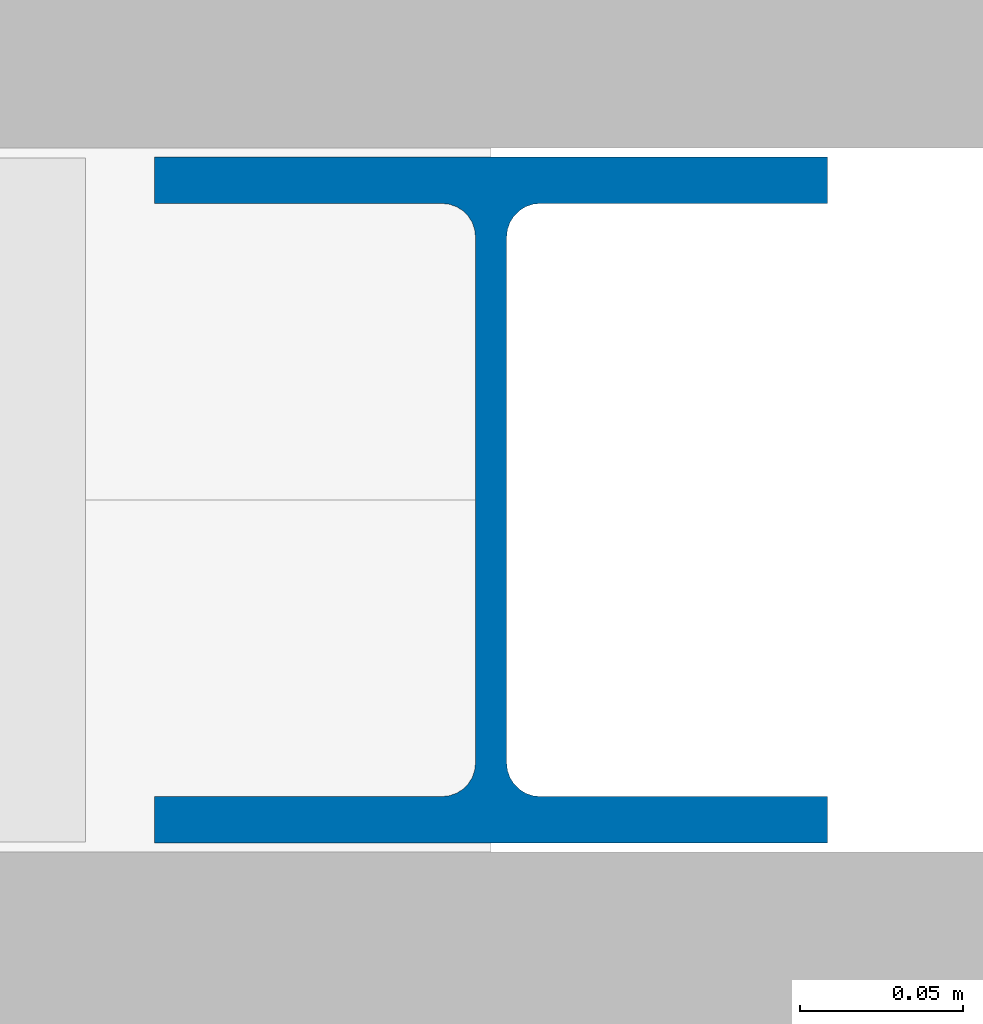
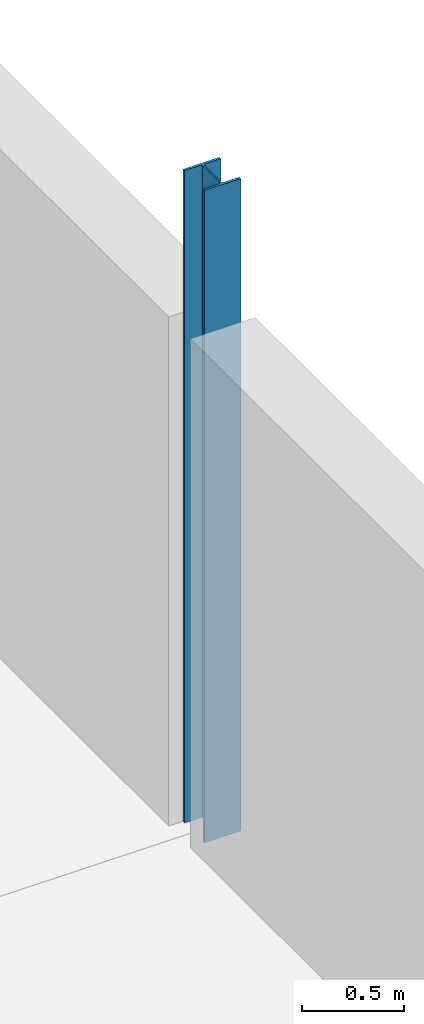
# One storey, part 13 of 35: 1 column.
"""IFC4 building model written with IfcOpenShell, lengths in metres."""

import ifcopenshell
import ifcopenshell.guid

model = None  # the IFC model being written
_history = None  # IfcOwnerHistory: only IFC2X3 demands one
_inside = {}  # id of a spatial element -> (the spatial element, [elements in it])
_under = {}  # id of a project, library or spatial element -> (it, [spatial elements below it])
_declared = {}  # id of a project -> (the project, [libraries it declares])
_typed = {}  # id of a type object -> (the type object, [elements of that type])
_made_of = {}  # id of a material, layer set ... -> (it, [elements and type objects made of it])


def new_model(schema):
    """Start an empty IFC model of exactly this schema.

    Asked for "IFC4X3", IfcOpenShell would pick the latest addendum, in which some entities
    have other attributes; the version numbers below select the first issue.
    IFC2X3 requires an IfcOwnerHistory on every rooted entity: one is made here for all.
    """
    global model, _history
    if schema == "IFC4X3":
        model = ifcopenshell.file(schema_version=(4, 3, 0, 0))
    else:
        model = ifcopenshell.file(schema=schema)
    _inside.clear()
    _under.clear()
    _declared.clear()
    _typed.clear()
    _made_of.clear()
    _history = None
    if model.schema == "IFC2X3":
        org = make("IfcOrganization", Name="unknown")
        user = make(
            "IfcPersonAndOrganization",
            ThePerson=make("IfcPerson", FamilyName="unknown"),
            TheOrganization=org,
        )
        app = make(
            "IfcApplication",
            ApplicationDeveloper=org,
            Version="unknown",
            ApplicationFullName="unknown",
            ApplicationIdentifier="unknown",
        )
        _history = make(
            "IfcOwnerHistory",
            OwningUser=user,
            OwningApplication=app,
            ChangeAction="ADDED",
            CreationDate=0,
        )
    return model


def make(cls, **values):
    """One entity of the class cls with the attributes given. An attribute that is None is left unset."""
    return model.create_entity(
        cls, **{name: value for name, value in values.items() if value is not None}
    )


def rooted(cls, **values):
    """An entity with a GlobalId (a new one), such as an element, a storey or a relation."""
    return make(cls, GlobalId=ifcopenshell.guid.new(), OwnerHistory=_history, **values)


def si_unit(unit_type, name, prefix=None):
    """IfcSIUnit, for example si_unit("LENGTHUNIT", "METRE", prefix="MILLI")."""
    return make("IfcSIUnit", UnitType=unit_type, Prefix=prefix, Name=name)


def assignment(units):
    """IfcUnitAssignment: the units of a project."""
    return None if units is None else make("IfcUnitAssignment", Units=units)


def point(xyz):
    """IfcCartesianPoint."""
    return None if xyz is None else make("IfcCartesianPoint", Coordinates=xyz)


def direction(xyz):
    """IfcDirection."""
    return None if xyz is None else make("IfcDirection", DirectionRatios=xyz)


def frame(location, z_axis=None, x_axis=None):
    """IfcAxis2Placement3D, a coordinate frame: its origin and axes. An axis left out is left unset."""
    return make(
        "IfcAxis2Placement3D",
        Location=point(location),
        Axis=direction(z_axis),
        RefDirection=direction(x_axis),
    )


def frame_2d(location, x_axis=None):
    """IfcAxis2Placement2D, a coordinate frame in the plane: its origin and x axis."""
    return make(
        "IfcAxis2Placement2D", Location=point(location), RefDirection=direction(x_axis)
    )


def origin():
    """The frame at (0, 0, 0) with its axes left unset."""
    return frame((0.0, 0.0, 0.0))


def origin_2d():
    """The frame at (0, 0) in the plane with its x axis left unset."""
    return frame_2d((0.0, 0.0))


def place(relative_to, where):
    """IfcLocalPlacement: puts the frame where relative to a parent placement (None: the world)."""
    return make(
        "IfcLocalPlacement", PlacementRelTo=relative_to, RelativePlacement=where
    )


def context(
    kind, dimensions, precision=None, world=None, true_north=None, identifier=None
):
    """IfcGeometricRepresentationContext, for example the 3D "Model" context."""
    return make(
        "IfcGeometricRepresentationContext",
        ContextIdentifier=identifier,
        ContextType=kind,
        CoordinateSpaceDimension=dimensions,
        Precision=precision,
        WorldCoordinateSystem=world,
        TrueNorth=true_north,
    )


def subcontext(parent, identifier, kind, view, scale=None):
    """IfcGeometricRepresentationSubContext, for example "Body" below "Model"."""
    return make(
        "IfcGeometricRepresentationSubContext",
        ContextIdentifier=identifier,
        ContextType=kind,
        ParentContext=parent,
        TargetScale=scale,
        TargetView=view,
    )


def project(units=None, contexts=None):
    """IfcProject with its units and contexts."""
    return rooted(
        "IfcProject",
        Name="project",
        RepresentationContexts=contexts,
        UnitsInContext=assignment(units),
    )


def spatial(cls, under=None, at=None, **own):
    """A site, building, storey or space (cls), placed at a placement, below another one or the project."""
    s = rooted(cls, ObjectPlacement=at, **own)
    if under is not None:
        _under.setdefault(under.id(), (under, []))[1].append(s)
    return s


def profile(cls, at=None, kind="AREA", **sizes):
    """A parametric profile (cls). Its sizes go by their IFC names, for example OverallWidth=200.0."""
    return make(cls, ProfileType=kind, Position=at, **sizes)


def i_section(**sizes):
    """IfcIShapeProfileDef."""
    return profile("IfcIShapeProfileDef", **sizes)


def extrude(swept, where, along, depth):
    """IfcExtrudedAreaSolid: the profile swept, set in the frame where, extruded along a direction by depth."""
    return make(
        "IfcExtrudedAreaSolid",
        SweptArea=swept,
        Position=where,
        ExtrudedDirection=direction(along),
        Depth=depth,
    )


def shape(context_of_items, identifier, shape_type, items):
    """IfcShapeRepresentation: the items that make up one representation, for example the "Body"."""
    return make(
        "IfcShapeRepresentation",
        ContextOfItems=context_of_items,
        RepresentationIdentifier=identifier,
        RepresentationType=shape_type,
        Items=items,
    )


def material(Name=None, Category=None):
    """IfcMaterial."""
    return make("IfcMaterial", Name=Name, Category=Category)


def material_profile(
    of_material, cross_section, Name=None, Category=None, Priority=None
):
    """IfcMaterialProfile: a cross section and its material."""
    return make(
        "IfcMaterialProfile",
        Name=Name,
        Material=of_material,
        Profile=cross_section,
        Priority=Priority,
        Category=Category,
    )


def profile_set(profiles, Name=None, composite=None):
    """IfcMaterialProfileSet."""
    return make(
        "IfcMaterialProfileSet",
        Name=Name,
        MaterialProfiles=profiles,
        CompositeProfile=composite,
    )


def made_of(thing, what):
    """Note that an element or type object is made of a material, layer set ...; save() writes the relation."""
    if what is not None:
        _made_of.setdefault(what.id(), (what, []))[1].append(thing)
    return thing


def type_object(cls, material=None, **own):
    """A type object (cls), such as IfcWallType, which elements share."""
    return made_of(rooted(cls, **own), material)


def element(
    cls,
    number,
    at=None,
    inside=None,
    cuts=None,
    type_object=None,
    material=None,
    context=None,
    identifier="Body",
    shape_type=None,
    held_by="IfcProductDefinitionShape",
    body=None,
    shapes=None,
    **own,
):
    """One element of the class cls, such as IfcWall. Its Tag is "e" and its number.

    at: its placement. inside: the storey or other place that contains it. cuts: it is an
    opening in that element (IfcRelVoidsElement). A single representation is given by context,
    identifier, shape_type and body (its items); several are given by shapes. held_by: the class
    of the entity that holds the representations. save() writes the other relations.
    """
    e = rooted(cls, Tag="e%d" % number, ObjectPlacement=at, **own)
    if body is not None:
        shapes = [shape(context, identifier, shape_type, body)]
    if shapes is not None:
        e.Representation = make(held_by, Representations=shapes)
    if inside is not None:
        _inside.setdefault(inside.id(), (inside, []))[1].append(e)
    if cuts is not None:
        rooted(
            "IfcRelVoidsElement", RelatingBuildingElement=cuts, RelatedOpeningElement=e
        )
    if type_object is not None:
        _typed.setdefault(type_object.id(), (type_object, []))[1].append(e)
    return made_of(e, material)


def aggregate(whole, parts):
    """IfcRelAggregates: a whole, such as a stair, and the parts it consists of."""
    return rooted("IfcRelAggregates", RelatingObject=whole, RelatedObjects=parts)


def save(model, path):
    """Write the relations noted so far, then the file.

    IfcRelAggregates (storeys below a building ...), IfcRelContainedInSpatialStructure (elements
    in a storey), IfcRelDefinesByType, IfcRelAssociatesMaterial and IfcRelDeclares: one each for
    every whole, place, type object, material and project.
    """
    for whole, parts in _under.values():
        aggregate(whole, parts)
    for where, things in _inside.values():
        rooted(
            "IfcRelContainedInSpatialStructure",
            RelatedElements=things,
            RelatingStructure=where,
        )
    for kind, things in _typed.values():
        rooted("IfcRelDefinesByType", RelatedObjects=things, RelatingType=kind)
    for what, things in _made_of.values():
        rooted("IfcRelAssociatesMaterial", RelatedObjects=things, RelatingMaterial=what)
    for by, libraries in _declared.values():
        rooted("IfcRelDeclares", RelatingContext=by, RelatedDefinitions=libraries)
    model.write(path)


model = new_model("IFC4")

# Units and contexts
model_context = context("Model", 3, precision=1e-05, world=origin(), true_north=direction((0.0, 1.0)))
body_context = subcontext(model_context, "Body", "Model", "MODEL_VIEW")
ifc_project = project(units=[si_unit("LENGTHUNIT", "METRE"), si_unit("AREAUNIT", "SQUARE_METRE"), si_unit("VOLUMEUNIT", "CUBIC_METRE"), si_unit("PLANEANGLEUNIT", "RADIAN"), si_unit("MASSUNIT", "GRAM", prefix="KILO")], contexts=[model_context])

# Site, building, storey
site_placement = place(None, origin())
site = spatial("IfcSite", under=ifc_project, at=site_placement, CompositionType="ELEMENT")
building_placement = place(site_placement, origin())
building = spatial("IfcBuilding", under=site, at=building_placement, Name="Kisiwana Market Hall", CompositionType="ELEMENT")
storey_placement = place(building_placement, frame((0.0, 0.0, 57.89990234375)))
storey = spatial("IfcBuildingStorey", under=building, at=storey_placement, Name="L13", CompositionType="ELEMENT", Elevation=57.89990234375)

# Column
ifc_material = material(Name="Steel S355", Category="steel")
ifc_material_profile = material_profile(ifc_material, i_section(OverallWidth=0.205810546875, OverallDepth=0.209716796875, WebThickness=0.009521484375, FlangeThickness=0.01416015625, FilletRadius=0.01025390625, at=origin_2d()), Name="UC 203x203x60")
ifc_profile_set = profile_set([ifc_material_profile], Name="Steel S355")
column_type = type_object("IfcColumnType", Name="COL-STL-UC060", PredefinedType="COLUMN", material=ifc_profile_set)
column_placement = place(storey_placement, frame((198.0, 60.0, 0.0), z_axis=(0.0, 0.0, 1.0), x_axis=(1.0, 0.0, 0.0)))
element("IfcColumn", 1, at=column_placement, inside=storey, type_object=column_type, Name="Column H/23 (L13) C-1435", PredefinedType="COLUMN", context=body_context, shape_type="SweptSolid", body=[
    extrude(i_section(OverallWidth=0.205810546875, OverallDepth=0.209716796875, WebThickness=0.009521484375, FlangeThickness=0.01416015625, FilletRadius=0.01025390625, at=origin_2d()), origin(), (0.0, 0.0, 1.0), 3.900146484375),
])

save(model, "model.ifc")
